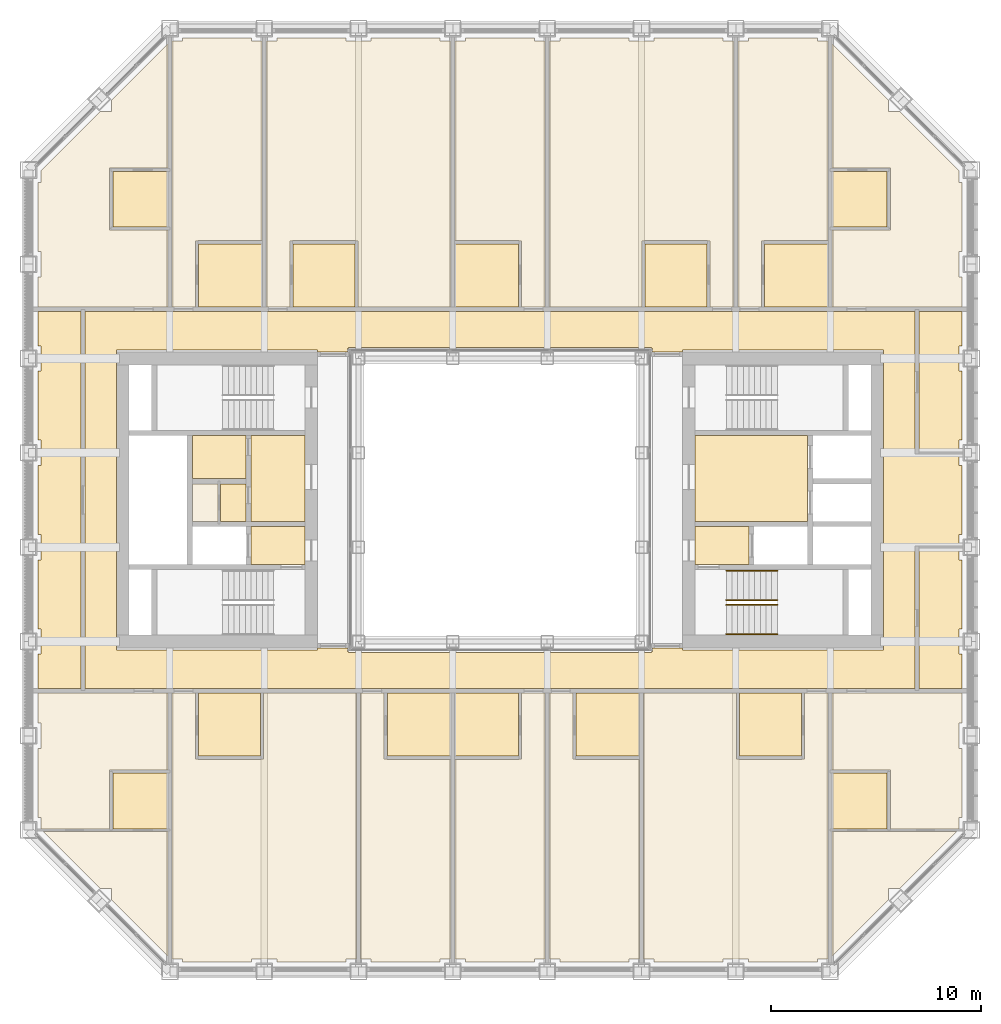
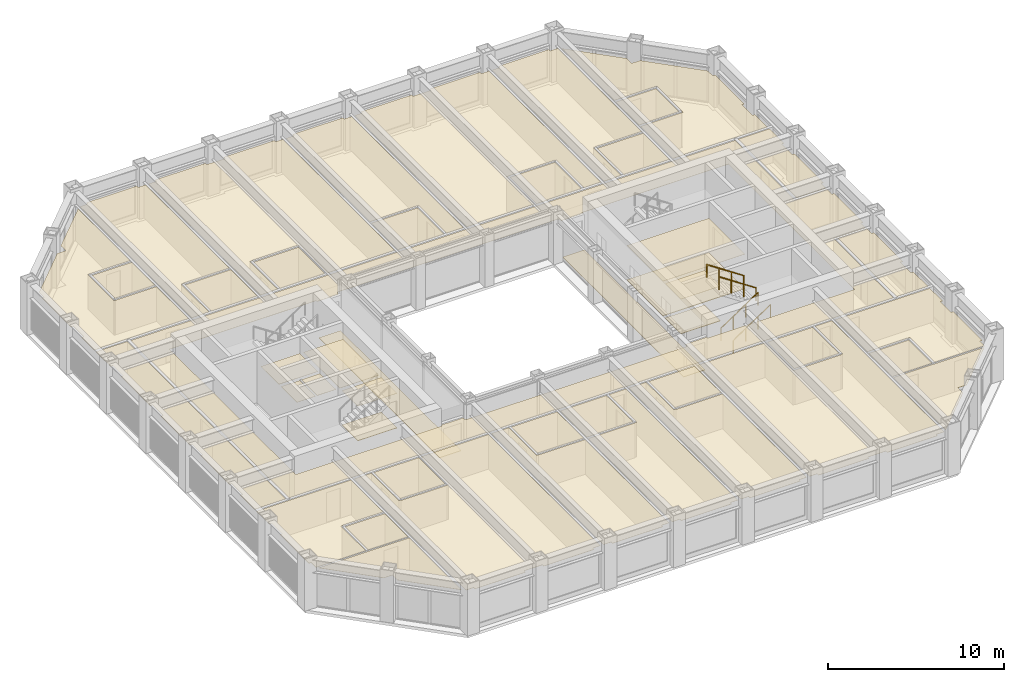
# One storey, part 16 of 17: 5 coverings, 4 railings.
"""IFC4 building model written with IfcOpenShell, lengths in metres."""

from ifc_helpers import new_model, si_unit, direction, frame, origin, origin_2d, place, context, subcontext, project, spatial, line, indexed_curve, circle, outline, extrude, material, layer, layer_set, type_object, element, save


model = new_model("IFC4")

# Units and contexts
model_context = context("Model", 3, precision=1e-05, world=origin(), true_north=direction((0.0, 1.0)))
body_context = subcontext(model_context, "Body", "Model", "MODEL_VIEW")
ifc_project = project(units=[si_unit("LENGTHUNIT", "METRE"), si_unit("AREAUNIT", "SQUARE_METRE"), si_unit("VOLUMEUNIT", "CUBIC_METRE"), si_unit("PLANEANGLEUNIT", "RADIAN"), si_unit("MASSUNIT", "GRAM", prefix="KILO")], contexts=[model_context])

# Site, building, storey
site_placement = place(None, origin())
site = spatial("IfcSite", under=ifc_project, at=site_placement, CompositionType="ELEMENT")
building_placement = place(site_placement, origin())
building = spatial("IfcBuilding", under=site, at=building_placement, Name="Msasa Ring Tower", CompositionType="ELEMENT")
storey_placement = place(building_placement, frame((0.0, 0.0, 154.39990234375)))
storey = spatial("IfcBuildingStorey", under=building, at=storey_placement, Name="L40", CompositionType="ELEMENT", Elevation=154.39990234375)

# Coverings
ifc_material_1 = material(Name="Gypsum plasterboard on a steel suspension grid", Category="steel")
ifc_layer_1 = layer(ifc_material_1, 0.014892578125)
ifc_layer_set_1 = layer_set([ifc_layer_1], Name="C1 SUSPENDED PLASTERBOARD CEILING 15")
covering_type_1 = type_object("IfcCoveringType", Name="C1 SUSPENDED PLASTERBOARD CEILING 15", PredefinedType="CEILING", material=ifc_layer_set_1)
covering_1_placement = place(storey_placement, frame((0.0, 0.0, 2.400146484375)))
element("IfcCovering", 1, at=covering_1_placement, inside=storey, type_object=covering_type_1, Name="Suspended Plasterboard Ceiling 15 circulation L40", PredefinedType="CEILING", context=body_context, shape_type="SweptSolid", body=[
    extrude(outline(indexed_curve([(19.799560546875, 2.199462890625), (21.8994140625, 2.199462890625), (21.8994140625, 1.6494140625), (22.049560546875, 1.6494140625), (22.049560546875, -1.6494140625), (21.8994140625, -1.6494140625), (21.8994140625, -2.199462890625), (19.799560546875, -2.199462890625), (19.799560546875, -8.99951171875), (-19.799560546875, -8.99951171875), (-19.799560546875, 8.99951171875), (19.799560546875, 8.99951171875)], segments=[line(1, 2, 3, 4, 5, 6, 7, 8, 9, 10, 11, 12, 1)], self_intersect=False), holes=[indexed_curve([(8.699462890625, -7.150390625), (18.300537109375, -7.150390625), (18.300537109375, 7.150390625), (8.699462890625, 7.150390625), (8.699462890625, 7.050537109375), (7.280029296875, 7.050537109375), (7.280517578125, 7.23046875), (7.22998046875, 7.23046875), (7.22998046875, 7.280029296875), (-7.22998046875, 7.280029296875), (-7.22998046875, 7.23046875), (-7.280517578125, 7.23046875), (-7.280029296875, 7.050537109375), (-8.699462890625, 7.050537109375), (-8.699462890625, 7.150390625), (-18.300537109375, 7.150390625), (-18.300537109375, -7.150390625), (-8.699462890625, -7.150390625), (-8.699462890625, -7.050537109375), (-7.280029296875, -7.050537109375), (-7.280517578125, -7.23046875), (-7.22998046875, -7.23046875), (-7.22998046875, -7.280029296875), (7.22998046875, -7.280029296875), (7.22998046875, -7.23046875), (7.280517578125, -7.23046875), (7.280029296875, -7.050537109375), (8.699462890625, -7.050537109375)], segments=[line(1, 2, 3, 4, 5, 6, 7, 8, 9, 10, 11, 12, 13, 14, 15, 16, 17, 18, 19, 20, 21, 22, 23, 24, 25, 26, 27, 28, 1)], self_intersect=False)]), origin(), (0.0, 0.0, 1.0), 0.014892578125),
    extrude(outline(indexed_curve([(-9.300537109375, -3.074462890625), (-11.87451171875, -3.074462890625), (-11.87451171875, -1.275390625), (-9.300537109375, -1.275390625)], segments=[line(1, 2, 3, 4, 1)], self_intersect=False)), origin(), (0.0, 0.0, 1.0), 0.014892578125),
    extrude(outline(indexed_curve([(11.87451171875, -3.074462890625), (9.300537109375, -3.074462890625), (9.300537109375, -1.275390625), (11.87451171875, -1.275390625)], segments=[line(1, 2, 3, 4, 1)], self_intersect=False)), origin(), (0.0, 0.0, 1.0), 0.014892578125),
    extrude(outline(indexed_curve([(14.674560546875, -1.0244140625), (9.300537109375, -1.0244140625), (9.300537109375, 3.074462890625), (14.674560546875, 3.074462890625)], segments=[line(1, 2, 3, 4, 1)], self_intersect=False)), origin(), (0.0, 0.0, 1.0), 0.014892578125),
])
covering_2_placement = place(storey_placement, frame((0.0, 0.0, 2.408203125)))
element("IfcCovering", 2, at=covering_2_placement, inside=storey, type_object=covering_type_1, Name="Suspended Plasterboard Ceiling 15 L40", PredefinedType="CEILING", context=body_context, shape_type="SweptSolid", body=[
    extrude(outline(indexed_curve([(-22.049560546875, -11.8505859375), (-21.8994140625, -11.8505859375), (-21.8994140625, -10.6494140625), (-22.049560546875, -10.6494140625), (-22.049560546875, -9.200439453125), (-15.8505859375, -9.200439453125), (-15.8505859375, -12.869384765625), (-18.630615234375, -12.869384765625), (-18.630615234375, -15.694580078125), (-21.8994140625, -15.694580078125), (-21.8994140625, -15.1494140625), (-22.049560546875, -15.1494140625)], segments=[line(1, 2, 3, 4, 5, 6, 7, 8, 9, 10, 11, 12, 1)], self_intersect=False)), origin(), (0.0, 0.0, 1.0), 0.014892578125),
    extrude(outline(indexed_curve([(-18.630615234375, 12.869384765625), (-15.8505859375, 12.869384765625), (-15.8505859375, 9.200439453125), (-22.049560546875, 9.200439453125), (-22.049560546875, 10.6494140625), (-21.8994140625, 10.6494140625), (-21.8994140625, 11.8505859375), (-22.049560546875, 11.8505859375), (-22.049560546875, 15.1494140625), (-21.8994140625, 15.1494140625), (-21.8994140625, 15.71337890625), (-19.08837890625, 18.5244140625), (-18.5244140625, 18.5244140625), (-18.5244140625, 19.08837890625), (-15.8505859375, 21.762451171875), (-15.8505859375, 15.83056640625), (-18.630615234375, 15.83056640625)], segments=[line(1, 2, 3, 4, 5, 6, 7, 8, 9, 10, 11, 12, 13, 14, 15, 16, 17, 1)], self_intersect=False)), origin(), (0.0, 0.0, 1.0), 0.014892578125),
    extrude(outline(indexed_curve([(-18.5244140625, -19.08837890625), (-18.5244140625, -18.5244140625), (-19.08837890625, -18.5244140625), (-21.807373046875, -15.805419921875), (-15.8505859375, -15.805419921875), (-15.8505859375, -21.762451171875)], segments=[line(1, 2, 3, 4, 5, 6, 1)], self_intersect=False)), origin(), (0.0, 0.0, 1.0), 0.014892578125),
    extrude(outline(indexed_curve([(-14.525390625, -12.35009765625), (-14.39990234375, -12.3505859375), (-14.39990234375, -12.37548828125), (-11.39990234375, -12.37548828125), (-11.39990234375, -12.3505859375), (-11.2744140625, -12.35009765625), (-11.2744140625, -9.200439453125), (-6.8505859375, -9.200439453125), (-6.8505859375, -21.8994140625), (-7.3505859375, -21.8994140625), (-7.3505859375, -22.049560546875), (-10.6494140625, -22.049560546875), (-10.6494140625, -21.8994140625), (-11.8505859375, -21.8994140625), (-11.8505859375, -22.049560546875), (-15.1494140625, -22.049560546875), (-15.1494140625, -21.8994140625), (-15.6494140625, -21.8994140625), (-15.6494140625, -9.200439453125), (-14.525390625, -9.200439453125)], segments=[line(1, 2, 3, 4, 5, 6, 7, 8, 9, 10, 11, 12, 13, 14, 15, 16, 17, 18, 19, 20, 1)], self_intersect=False)), origin(), (0.0, 0.0, 1.0), 0.014892578125),
    extrude(outline(indexed_curve([(-14.39990234375, 12.3505859375), (-14.525390625, 12.35009765625), (-14.525390625, 9.200439453125), (-15.6494140625, 9.200439453125), (-15.6494140625, 21.8994140625), (-15.1494140625, 21.8994140625), (-15.1494140625, 22.049560546875), (-11.8505859375, 22.049560546875), (-11.8505859375, 21.8994140625), (-11.3505859375, 21.8994140625), (-11.3505859375, 12.37548828125), (-14.39990234375, 12.37548828125)], segments=[line(1, 2, 3, 4, 5, 6, 7, 8, 9, 10, 11, 12, 1)], self_intersect=False)), origin(), (0.0, 0.0, 1.0), 0.014892578125),
    extrude(outline(indexed_curve([(-14.674560546875, 0.7744140625), (-13.45556640625, 0.7744140625), (-13.45556640625, -1.0244140625), (-14.674560546875, -1.0244140625)], segments=[line(1, 2, 3, 4, 1)], self_intersect=False)), origin(), (0.0, 0.0, 1.0), 0.014892578125),
    extrude(outline(indexed_curve([(-6.89990234375, 12.3505859375), (-6.89990234375, 12.37548828125), (-9.89990234375, 12.37548828125), (-9.89990234375, 12.3505859375), (-10.025390625, 12.35009765625), (-10.025390625, 9.200439453125), (-11.1494140625, 9.200439453125), (-11.1494140625, 21.8994140625), (-10.6494140625, 21.8994140625), (-10.6494140625, 22.049560546875), (-7.3505859375, 22.049560546875), (-7.3505859375, 21.8994140625), (-6.1494140625, 21.8994140625), (-6.1494140625, 22.049560546875), (-2.8505859375, 22.049560546875), (-2.8505859375, 21.8994140625), (-2.3505859375, 21.8994140625), (-2.3505859375, 9.200439453125), (-6.7744140625, 9.200439453125), (-6.7744140625, 12.35009765625)], segments=[line(1, 2, 3, 4, 5, 6, 7, 8, 9, 10, 11, 12, 13, 14, 15, 16, 17, 18, 19, 20, 1)], self_intersect=False)), origin(), (0.0, 0.0, 1.0), 0.014892578125),
    extrude(outline(indexed_curve([(-6.1494140625, -22.049560546875), (-6.1494140625, -21.8994140625), (-6.6494140625, -21.8994140625), (-6.6494140625, -9.200439453125), (-5.525390625, -9.200439453125), (-5.525390625, -12.35009765625), (-5.39990234375, -12.3505859375), (-5.39990234375, -12.37548828125), (-2.3505859375, -12.37548828125), (-2.3505859375, -21.8994140625), (-2.8505859375, -21.8994140625), (-2.8505859375, -22.049560546875)], segments=[line(1, 2, 3, 4, 5, 6, 7, 8, 9, 10, 11, 12, 1)], self_intersect=False)), origin(), (0.0, 0.0, 1.0), 0.014892578125),
    extrude(outline(indexed_curve([(2.1494140625, -9.200439453125), (2.1494140625, -21.8994140625), (1.6494140625, -21.8994140625), (1.6494140625, -22.049560546875), (-1.6494140625, -22.049560546875), (-1.6494140625, -21.8994140625), (-2.1494140625, -21.8994140625), (-2.1494140625, -12.37548828125), (0.89990234375, -12.37548828125), (0.89990234375, -12.3505859375), (1.025390625, -12.35009765625), (1.025390625, -9.200439453125)], segments=[line(1, 2, 3, 4, 5, 6, 7, 8, 9, 10, 11, 12, 1)], self_intersect=False)), origin(), (0.0, 0.0, 1.0), 0.014892578125),
    extrude(outline(indexed_curve([(1.6494140625, 22.049560546875), (1.6494140625, 21.8994140625), (2.1494140625, 21.8994140625), (2.1494140625, 9.200439453125), (1.025390625, 9.200439453125), (1.025390625, 12.35009765625), (0.89990234375, 12.3505859375), (0.89990234375, 12.37548828125), (-2.1494140625, 12.37548828125), (-2.1494140625, 21.8994140625), (-1.6494140625, 21.8994140625), (-1.6494140625, 22.049560546875)], segments=[line(1, 2, 3, 4, 5, 6, 7, 8, 9, 10, 11, 12, 1)], self_intersect=False)), origin(), (0.0, 0.0, 1.0), 0.014892578125),
    extrude(outline(indexed_curve([(2.8505859375, -22.049560546875), (2.8505859375, -21.8994140625), (2.3505859375, -21.8994140625), (2.3505859375, -9.200439453125), (3.474609375, -9.200439453125), (3.474609375, -12.35009765625), (3.60009765625, -12.3505859375), (3.60009765625, -12.37548828125), (6.6494140625, -12.37548828125), (6.6494140625, -21.8994140625), (6.1494140625, -21.8994140625), (6.1494140625, -22.049560546875)], segments=[line(1, 2, 3, 4, 5, 6, 7, 8, 9, 10, 11, 12, 1)], self_intersect=False)), origin(), (0.0, 0.0, 1.0), 0.014892578125),
    extrude(outline(indexed_curve([(6.89990234375, 12.3505859375), (6.7744140625, 12.35009765625), (6.7744140625, 9.200439453125), (2.3505859375, 9.200439453125), (2.3505859375, 21.8994140625), (2.8505859375, 21.8994140625), (2.8505859375, 22.049560546875), (6.1494140625, 22.049560546875), (6.1494140625, 21.8994140625), (7.3505859375, 21.8994140625), (7.3505859375, 22.049560546875), (10.6494140625, 22.049560546875), (10.6494140625, 21.8994140625), (11.1494140625, 21.8994140625), (11.1494140625, 9.200439453125), (10.025390625, 9.200439453125), (10.025390625, 12.35009765625), (9.89990234375, 12.3505859375), (9.89990234375, 12.37548828125), (6.89990234375, 12.37548828125)], segments=[line(1, 2, 3, 4, 5, 6, 7, 8, 9, 10, 11, 12, 13, 14, 15, 16, 17, 18, 19, 20, 1)], self_intersect=False)), origin(), (0.0, 0.0, 1.0), 0.014892578125),
    extrude(outline(indexed_curve([(11.2744140625, -12.35009765625), (11.39990234375, -12.3505859375), (11.39990234375, -12.37548828125), (14.39990234375, -12.37548828125), (14.39990234375, -12.3505859375), (14.525390625, -12.35009765625), (14.525390625, -9.200439453125), (15.6494140625, -9.200439453125), (15.6494140625, -21.8994140625), (15.1494140625, -21.8994140625), (15.1494140625, -22.049560546875), (11.8505859375, -22.049560546875), (11.8505859375, -21.8994140625), (10.6494140625, -21.8994140625), (10.6494140625, -22.049560546875), (7.3505859375, -22.049560546875), (7.3505859375, -21.8994140625), (6.8505859375, -21.8994140625), (6.8505859375, -9.200439453125), (11.2744140625, -9.200439453125)], segments=[line(1, 2, 3, 4, 5, 6, 7, 8, 9, 10, 11, 12, 13, 14, 15, 16, 17, 18, 19, 20, 1)], self_intersect=False)), origin(), (0.0, 0.0, 1.0), 0.014892578125),
    extrude(outline(indexed_curve([(11.3505859375, 9.200439453125), (11.3505859375, 21.8994140625), (11.8505859375, 21.8994140625), (11.8505859375, 22.049560546875), (15.1494140625, 22.049560546875), (15.1494140625, 21.8994140625), (15.6494140625, 21.8994140625), (15.6494140625, 12.37548828125), (12.60009765625, 12.37548828125), (12.60009765625, 12.3505859375), (12.474609375, 12.35009765625), (12.474609375, 9.200439453125)], segments=[line(1, 2, 3, 4, 5, 6, 7, 8, 9, 10, 11, 12, 1)], self_intersect=False)), origin(), (0.0, 0.0, 1.0), 0.014892578125),
    extrude(outline(indexed_curve([(19.08837890625, -18.5244140625), (18.5244140625, -18.5244140625), (18.5244140625, -19.08837890625), (15.8505859375, -21.762451171875), (15.8505859375, -15.805419921875), (21.807373046875, -15.805419921875)], segments=[line(1, 2, 3, 4, 5, 6, 1)], self_intersect=False)), origin(), (0.0, 0.0, 1.0), 0.014892578125),
    extrude(outline(indexed_curve([(15.8505859375, -12.869384765625), (15.8505859375, -9.200439453125), (22.049560546875, -9.200439453125), (22.049560546875, -10.6494140625), (21.8994140625, -10.6494140625), (21.8994140625, -11.8505859375), (22.049560546875, -11.8505859375), (22.049560546875, -15.1494140625), (21.8994140625, -15.1494140625), (21.8994140625, -15.694580078125), (18.630615234375, -15.694580078125), (18.630615234375, -12.869384765625)], segments=[line(1, 2, 3, 4, 5, 6, 7, 8, 9, 10, 11, 12, 1)], self_intersect=False)), origin(), (0.0, 0.0, 1.0), 0.014892578125),
    extrude(outline(indexed_curve([(15.8505859375, 21.762451171875), (18.5244140625, 19.08837890625), (18.5244140625, 18.5244140625), (19.08837890625, 18.5244140625), (21.8994140625, 15.71337890625), (21.8994140625, 15.1494140625), (22.049560546875, 15.1494140625), (22.049560546875, 11.8505859375), (21.8994140625, 11.8505859375), (21.8994140625, 10.6494140625), (22.049560546875, 10.6494140625), (22.049560546875, 9.200439453125), (15.8505859375, 9.200439453125), (15.8505859375, 12.869384765625), (18.630615234375, 12.869384765625), (18.630615234375, 15.83056640625), (15.8505859375, 15.83056640625)], segments=[line(1, 2, 3, 4, 5, 6, 7, 8, 9, 10, 11, 12, 13, 14, 15, 16, 17, 1)], self_intersect=False)), origin(), (0.0, 0.0, 1.0), 0.014892578125),
])
ifc_material_2 = material(Name="Moisture-resistant gypsum plasterboard on a steel suspension grid", Category="steel")
ifc_layer_2 = layer(ifc_material_2, 0.014892578125)
ifc_layer_set_2 = layer_set([ifc_layer_2], Name="C2 MOISTURE-RESISTANT PLASTERBOARD CEILING 15")
covering_type_2 = type_object("IfcCoveringType", Name="C2 MOISTURE-RESISTANT PLASTERBOARD CEILING 15", PredefinedType="CEILING", material=ifc_layer_set_2)
covering_3_placement = place(storey_placement, frame((0.0, 0.0, 2.400146484375)))
element("IfcCovering", 3, at=covering_3_placement, inside=storey, type_object=covering_type_2, Name="Moisture-Resistant Plasterboard Ceiling 15 L40", PredefinedType="CEILING", context=body_context, shape_type="SweptSolid", body=[
    extrude(outline(indexed_curve([(-18.469482421875, -15.694580078125), (-18.469482421875, -13.030517578125), (-15.8505859375, -13.030517578125), (-15.8505859375, -15.694580078125)], segments=[line(1, 2, 3, 4, 1)], self_intersect=False)), origin(), (0.0, 0.0, 1.0), 0.014892578125),
    extrude(outline(indexed_curve([(-18.469482421875, 15.66943359375), (-15.8505859375, 15.66943359375), (-15.8505859375, 13.030517578125), (-18.469482421875, 13.030517578125)], segments=[line(1, 2, 3, 4, 1)], self_intersect=False)), origin(), (0.0, 0.0, 1.0), 0.014892578125),
    extrude(outline(indexed_curve([(-11.425537109375, -9.200439453125), (-11.425537109375, -12.224609375), (-14.37451171875, -12.224609375), (-14.37451171875, -9.200439453125)], segments=[line(1, 2, 3, 4, 1)], self_intersect=False)), origin(), (0.0, 0.0, 1.0), 0.014892578125),
    extrude(outline(indexed_curve([(-11.3505859375, 9.200439453125), (-14.37451171875, 9.200439453125), (-14.37451171875, 12.224609375), (-11.3505859375, 12.224609375)], segments=[line(1, 2, 3, 4, 1)], self_intersect=False)), origin(), (0.0, 0.0, 1.0), 0.014892578125),
    extrude(outline(indexed_curve([(-9.87451171875, 9.200439453125), (-9.87451171875, 12.224609375), (-6.925537109375, 12.224609375), (-6.925537109375, 9.200439453125)], segments=[line(1, 2, 3, 4, 1)], self_intersect=False)), origin(), (0.0, 0.0, 1.0), 0.014892578125),
    extrude(outline(indexed_curve([(-2.3505859375, -9.200439453125), (-2.3505859375, -12.224609375), (-5.37451171875, -12.224609375), (-5.37451171875, -9.200439453125)], segments=[line(1, 2, 3, 4, 1)], self_intersect=False)), origin(), (0.0, 0.0, 1.0), 0.014892578125),
    extrude(outline(indexed_curve([(-2.1494140625, -9.200439453125), (0.87451171875, -9.200439453125), (0.87451171875, -12.224609375), (-2.1494140625, -12.224609375)], segments=[line(1, 2, 3, 4, 1)], self_intersect=False)), origin(), (0.0, 0.0, 1.0), 0.014892578125),
    extrude(outline(indexed_curve([(-2.1494140625, 12.224609375), (0.87451171875, 12.224609375), (0.87451171875, 9.200439453125), (-2.1494140625, 9.200439453125)], segments=[line(1, 2, 3, 4, 1)], self_intersect=False)), origin(), (0.0, 0.0, 1.0), 0.014892578125),
    extrude(outline(indexed_curve([(6.6494140625, -9.200439453125), (6.6494140625, -12.224609375), (3.62548828125, -12.224609375), (3.62548828125, -9.200439453125)], segments=[line(1, 2, 3, 4, 1)], self_intersect=False)), origin(), (0.0, 0.0, 1.0), 0.014892578125),
    extrude(outline(indexed_curve([(6.925537109375, 9.200439453125), (6.925537109375, 12.224609375), (9.87451171875, 12.224609375), (9.87451171875, 9.200439453125)], segments=[line(1, 2, 3, 4, 1)], self_intersect=False)), origin(), (0.0, 0.0, 1.0), 0.014892578125),
    extrude(outline(indexed_curve([(14.37451171875, -9.200439453125), (14.37451171875, -12.224609375), (11.425537109375, -12.224609375), (11.425537109375, -9.200439453125)], segments=[line(1, 2, 3, 4, 1)], self_intersect=False)), origin(), (0.0, 0.0, 1.0), 0.014892578125),
    extrude(outline(indexed_curve([(15.6494140625, 9.200439453125), (12.62548828125, 9.200439453125), (12.62548828125, 12.224609375), (15.6494140625, 12.224609375)], segments=[line(1, 2, 3, 4, 1)], self_intersect=False)), origin(), (0.0, 0.0, 1.0), 0.014892578125),
    extrude(outline(indexed_curve([(15.8505859375, -15.694580078125), (15.8505859375, -13.030517578125), (18.469482421875, -13.030517578125), (18.469482421875, -15.694580078125)], segments=[line(1, 2, 3, 4, 1)], self_intersect=False)), origin(), (0.0, 0.0, 1.0), 0.014892578125),
    extrude(outline(indexed_curve([(15.8505859375, 15.66943359375), (18.469482421875, 15.66943359375), (18.469482421875, 13.030517578125), (15.8505859375, 13.030517578125)], segments=[line(1, 2, 3, 4, 1)], self_intersect=False)), origin(), (0.0, 0.0, 1.0), 0.014892578125),
])
ifc_material_3 = material(Name="Mineral fibre ceiling tiles on an exposed steel grid", Category="steel")
ifc_layer_3 = layer(ifc_material_3, 0.02001953125)
ifc_layer_set_3 = layer_set([ifc_layer_3], Name="C3 ACOUSTIC MINERAL FIBRE TILE CEILING 20")
covering_type_3 = type_object("IfcCoveringType", Name="C3 ACOUSTIC MINERAL FIBRE TILE CEILING 20", PredefinedType="CEILING", material=ifc_layer_set_3)
covering_4_placement = place(storey_placement, frame((0.0, 0.0, 2.4091796875)))
element("IfcCovering", 4, at=covering_4_placement, inside=storey, type_object=covering_type_3, Name="Acoustic Mineral Fibre Tile Ceiling 20 L40", PredefinedType="CEILING", context=body_context, shape_type="SweptSolid", body=[
    extrude(outline(indexed_curve([(-20.00048828125, 8.99951171875), (-20.00048828125, -8.99951171875), (-22.049560546875, -8.99951171875), (-22.049560546875, -7.3505859375), (-21.8994140625, -7.3505859375), (-21.8994140625, -6.1494140625), (-22.049560546875, -6.1494140625), (-22.049560546875, -2.8505859375), (-21.8994140625, -2.8505859375), (-21.8994140625, -1.6494140625), (-22.049560546875, -1.6494140625), (-22.049560546875, 1.6494140625), (-21.8994140625, 1.6494140625), (-21.8994140625, 2.8505859375), (-22.049560546875, 2.8505859375), (-22.049560546875, 6.1494140625), (-21.8994140625, 6.1494140625), (-21.8994140625, 7.3505859375), (-22.049560546875, 7.3505859375), (-22.049560546875, 8.99951171875)], segments=[line(1, 2, 3, 4, 5, 6, 7, 8, 9, 10, 11, 12, 13, 14, 15, 16, 17, 18, 19, 20, 1)], self_intersect=False)), origin(), (0.0, 0.0, 1.0), 0.02001953125),
    extrude(outline(indexed_curve([(-14.674560546875, 3.074462890625), (-12.12548828125, 3.074462890625), (-12.12548828125, 1.025390625), (-14.674560546875, 1.025390625)], segments=[line(1, 2, 3, 4, 1)], self_intersect=False)), origin(), (0.0, 0.0, 1.0), 0.02001953125),
    extrude(outline(indexed_curve([(-13.344482421875, -1.0244140625), (-13.344482421875, 0.7744140625), (-12.12548828125, 0.7744140625), (-12.12548828125, -1.0244140625)], segments=[line(1, 2, 3, 4, 1)], self_intersect=False)), origin(), (0.0, 0.0, 1.0), 0.02001953125),
    extrude(outline(indexed_curve([(-9.300537109375, -1.0244140625), (-11.87451171875, -1.0244140625), (-11.87451171875, 3.074462890625), (-9.300537109375, 3.074462890625)], segments=[line(1, 2, 3, 4, 1)], self_intersect=False)), origin(), (0.0, 0.0, 1.0), 0.02001953125),
    extrude(outline(indexed_curve([(21.8994140625, -2.305419921875), (21.8994140625, -2.8505859375), (22.049560546875, -2.8505859375), (22.049560546875, -6.1494140625), (21.8994140625, -6.1494140625), (21.8994140625, -7.3505859375), (22.049560546875, -7.3505859375), (22.049560546875, -8.99951171875), (20.00048828125, -8.99951171875), (20.00048828125, -2.305419921875)], segments=[line(1, 2, 3, 4, 5, 6, 7, 8, 9, 10, 1)], self_intersect=False)), origin(), (0.0, 0.0, 1.0), 0.02001953125),
    extrude(outline(indexed_curve([(22.049560546875, 7.3505859375), (21.8994140625, 7.3505859375), (21.8994140625, 6.1494140625), (22.049560546875, 6.1494140625), (22.049560546875, 2.8505859375), (21.8994140625, 2.8505859375), (21.8994140625, 2.305419921875), (20.00048828125, 2.305419921875), (20.00048828125, 8.99951171875), (22.049560546875, 8.99951171875)], segments=[line(1, 2, 3, 4, 5, 6, 7, 8, 9, 10, 1)], self_intersect=False)), origin(), (0.0, 0.0, 1.0), 0.02001953125),
])
ifc_material_4 = material(Name="Honed granite tiles on a mortar bed", Category="masonry")
ifc_layer_4 = layer(ifc_material_4, 0.030029296875)
ifc_layer_set_4 = layer_set([ifc_layer_4], Name="F1 HONED GRANITE ON BEDDING 30")
covering_type_4 = type_object("IfcCoveringType", Name="F1 HONED GRANITE ON BEDDING 30", PredefinedType="FLOORING", material=ifc_layer_set_4)
covering_5_placement = place(storey_placement, origin())
element("IfcCovering", 5, at=covering_5_placement, inside=storey, type_object=covering_type_4, Name="Honed Granite On Bedding 30 L40", PredefinedType="FLOORING", context=body_context, shape_type="SweptSolid", body=[
    extrude(outline(indexed_curve([(-11.87451171875, -3.074462890625), (-11.87451171875, -1.275390625), (-9.300537109375, -1.275390625), (-9.300537109375, -3.074462890625)], segments=[line(1, 2, 3, 4, 1)], self_intersect=False)), origin(), (0.0, 0.0, 1.0), 0.030029296875),
    extrude(outline(indexed_curve([(-8.699462890625, -6.849609375), (-8.699462890625, 6.849609375), (-7.280029296875, 6.849609375), (-7.280029296875, -6.849609375)], segments=[line(1, 2, 3, 4, 1)], self_intersect=False)), origin(), (0.0, 0.0, 1.0), 0.030029296875),
    extrude(outline(indexed_curve([(8.699462890625, 6.849609375), (8.699462890625, -6.849609375), (7.280029296875, -6.849609375), (7.280029296875, 6.849609375)], segments=[line(1, 2, 3, 4, 1)], self_intersect=False)), origin(), (0.0, 0.0, 1.0), 0.030029296875),
    extrude(outline(indexed_curve([(9.300537109375, -3.074462890625), (9.300537109375, -1.275390625), (11.87451171875, -1.275390625), (11.87451171875, -3.074462890625)], segments=[line(1, 2, 3, 4, 1)], self_intersect=False)), origin(), (0.0, 0.0, 1.0), 0.030029296875),
    extrude(outline(indexed_curve([(9.300537109375, 3.074462890625), (14.674560546875, 3.074462890625), (14.674560546875, -1.0244140625), (9.300537109375, -1.0244140625)], segments=[line(1, 2, 3, 4, 1)], self_intersect=False)), origin(), (0.0, 0.0, 1.0), 0.030029296875),
])

# Railings
ifc_material_5 = material(Name="Stainless steel", Category="steel")
railing_type = type_object("IfcRailingType", Name="HR1 HANDRAIL 900", PredefinedType="HANDRAIL", material=ifc_material_5)
for number, where, name in (
    (6, (10.800048828125, -6.39990234375, 0.18017578125), "Handrail stair SEA L40 1"),
    (7, (10.800048828125, -5.0, 0.18017578125), "Handrail stair SEA L40 2"),
):
    element("IfcRailing", number, at=place(storey_placement, frame(where)), inside=storey, type_object=railing_type, Name=name, PredefinedType="HANDRAIL", context=body_context, shape_type="SweptSolid", body=[
        extrude(circle(Radius=0.02392578125, at=origin_2d()), frame((0.0, 0.0, 0.8759765625), z_axis=(0.832063155534, 0.0, 0.554680903946), x_axis=(0.0, 1.0, 0.0)), (0.0, 0.0, 1.0), 2.92041015625),
        extrude(circle(Radius=0.02099609375, at=origin_2d()), origin(), (0.0, 0.0, 1.0), 0.851806640625),
        extrude(circle(Radius=0.02099609375, at=origin_2d()), frame((0.81005859375, 0.0, 0.5400390625)), (0.0, 0.0, 1.0), 0.851806640625),
        extrude(circle(Radius=0.02099609375, at=origin_2d()), frame((1.619873046875, 0.0, 1.079833984375)), (0.0, 0.0, 1.0), 0.851806640625),
        extrude(circle(Radius=0.02099609375, at=origin_2d()), frame((2.429931640625, 0.0, 1.619873046875)), (0.0, 0.0, 1.0), 0.851806640625),
    ])
for number, where, name in (
    (8, (13.22998046875, -4.77490234375, 1.97998046875), "Handrail stair SEA L40 3"),
    (9, (13.22998046875, -3.375, 1.97998046875), "Handrail stair SEA L40 4"),
):
    element("IfcRailing", number, at=place(storey_placement, frame(where)), inside=storey, type_object=railing_type, Name=name, PredefinedType="HANDRAIL", context=body_context, shape_type="SweptSolid", body=[
        extrude(circle(Radius=0.02392578125, at=origin_2d()), frame((0.0, 0.0, 0.8759765625), z_axis=(-0.832024571796, 0.0, 0.554738778101), x_axis=(0.0, -1.0, 0.0)), (0.0, 0.0, 1.0), 2.92041015625),
        extrude(circle(Radius=0.02099609375, at=origin_2d()), origin(), (0.0, 0.0, 1.0), 0.851806640625),
        extrude(circle(Radius=0.02099609375, at=origin_2d()), frame((-0.81005859375, 0.0, 0.5400390625)), (0.0, 0.0, 1.0), 0.851806640625),
        extrude(circle(Radius=0.02099609375, at=origin_2d()), frame((-1.619873046875, 0.0, 1.080078125)), (0.0, 0.0, 1.0), 0.851806640625),
        extrude(circle(Radius=0.02099609375, at=origin_2d()), frame((-2.429931640625, 0.0, 1.6201171875)), (0.0, 0.0, 1.0), 0.851806640625),
    ])

save(model, "model.ifc")
